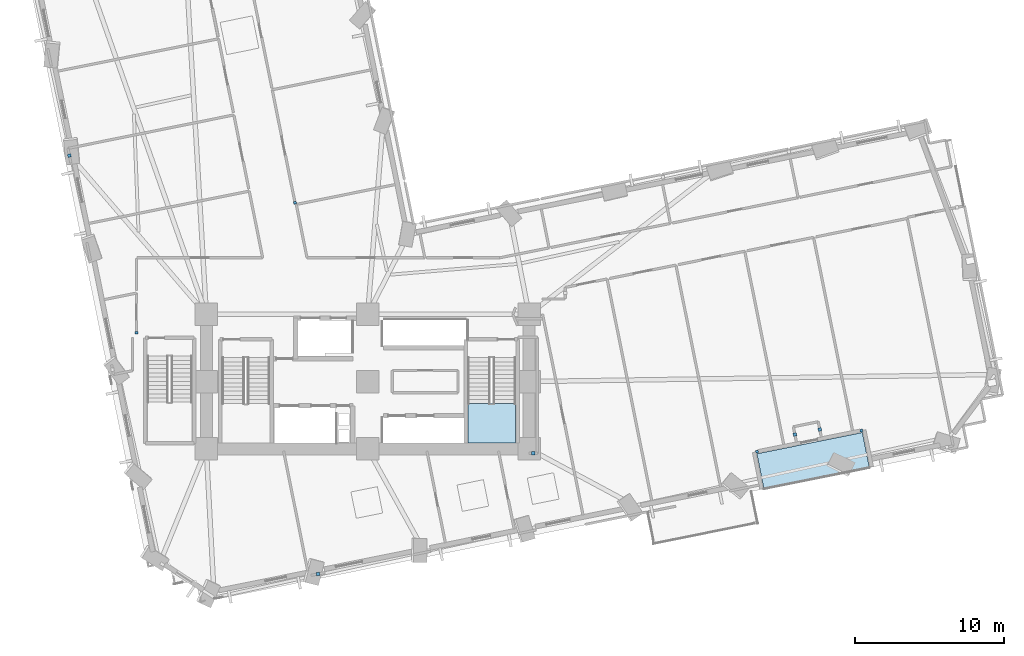
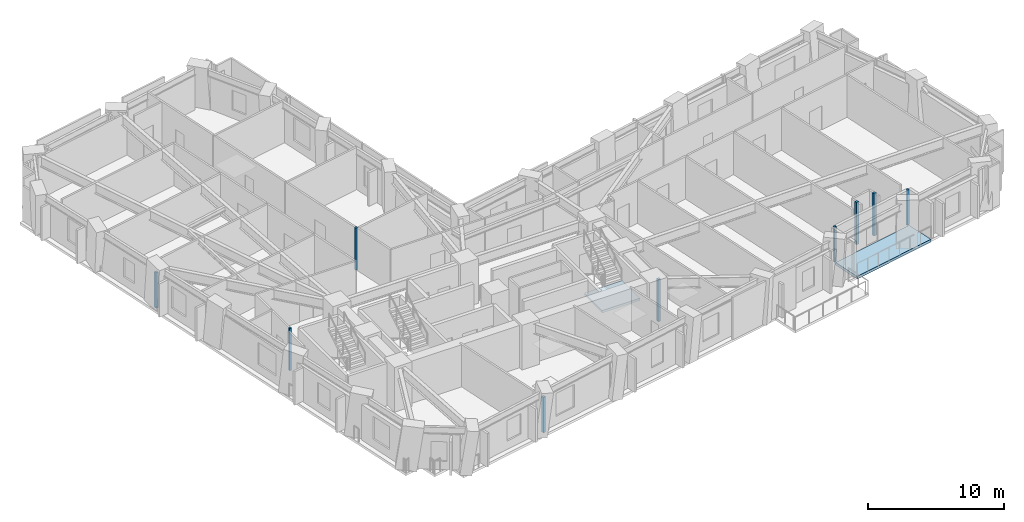
# One storey, part 3 of 16: 9 plates, 2 slabs, 1 element without a shape of its own.
"""IFC4 building model written with IfcOpenShell, lengths in metres."""

from ifc_helpers import new_model, si_unit, direction, frame, origin, origin_2d, place, context, subcontext, project, spatial, polyline, rectangle, outline, extrude, material, layer, layer_set, type_object, element, aggregate, save


model = new_model("IFC4")

# Units and contexts
model_context = context("Model", 3, precision=1e-05, world=origin(), true_north=direction((0.0, 1.0)))
body_context = subcontext(model_context, "Body", "Model", "MODEL_VIEW")
ifc_project = project(units=[si_unit("LENGTHUNIT", "METRE"), si_unit("AREAUNIT", "SQUARE_METRE"), si_unit("VOLUMEUNIT", "CUBIC_METRE"), si_unit("PLANEANGLEUNIT", "RADIAN"), si_unit("MASSUNIT", "GRAM", prefix="KILO")], contexts=[model_context])

# Site, building, storey
site_placement = place(None, origin())
site = spatial("IfcSite", under=ifc_project, at=site_placement, CompositionType="ELEMENT")
building_placement = place(site_placement, origin())
building = spatial("IfcBuilding", under=site, at=building_placement, Name="Gaonmaruhae Medical Tower", CompositionType="ELEMENT")
storey_placement = place(building_placement, frame((0.0, 0.0, 71.0)))
storey = spatial("IfcBuildingStorey", under=building, at=storey_placement, Name="L16", CompositionType="ELEMENT", Elevation=71.0)

# Plates
ifc_material_1 = material(Name="Anodised aluminium 6063-T6", Category="aluminium")
ifc_layer_1 = layer(ifc_material_1, 0.011962890625)
ifc_layer_set_1 = layer_set([ifc_layer_1], Name="Anodised aluminium 6063-T6")
plate_type = type_object("IfcPlateType", Name="PP-01 Interior Partition Corner Stiffener Plate", PredefinedType="SHEET", material=ifc_layer_set_1)
for number, where, z_axis, x_axis, name in (
    (1, (57.83837890625, 9.01953125, 0.0), (0.0, 0.0, 1.0), (-0.980271174622, -0.197657340379, 0.0), "L16 Partition End Jamb Post Plate PLT-L16-ENDP-TERB-0"),
    (2, (50.85888671875, 7.6123046875, 0.0), (0.0, 0.0, 1.0), (-0.980271174622, -0.197657340379, 0.0), "L16 Partition End Jamb Post Plate PLT-L16-ENDP-TERB-1"),
):
    element("IfcPlate", number, at=place(storey_placement, frame(where, z_axis=z_axis, x_axis=x_axis)), inside=storey, type_object=plate_type, Name=name, PredefinedType="SHEET", context=body_context, shape_type="SweptSolid", body=[
        extrude(rectangle(XDim=0.179931640625, YDim=0.179931640625, at=origin_2d()), origin(), (0.0, 0.0, 1.0), 3.1650390625),
    ])
for number, where, z_axis, x_axis, name in (
    (3, (9.320068359375, 15.570068359375, 0.0), (0.0, 0.0, 1.0), (0.0, -1.0, 0.0), "L16 Partition End Jamb Post Plate PLT-L16-ENDP-PW043-1"),
    (4, (19.935791015625, 24.2685546875, 0.0), (0.0, 0.0, 1.0), (-0.197657340379, 0.980271174622, 0.0), "L16 Partition End Jamb Post Plate PLT-L16-ENDP-PW086-0"),
):
    element("IfcPlate", number, at=place(storey_placement, frame(where, z_axis=z_axis, x_axis=x_axis)), inside=storey, type_object=plate_type, Name=name, PredefinedType="SHEET", context=body_context, shape_type="SweptSolid", body=[
        extrude(rectangle(XDim=0.179931640625, YDim=0.179931640625, at=origin_2d()), origin(), (0.0, 0.0, 1.0), 3.780029296875),
    ])
plate_1_placement = place(storey_placement, frame((21.4775390625, -0.576904296875, 0.0), z_axis=(0.0, 0.0, 1.0), x_axis=(-0.980295315705, -0.197537576187, 0.0)))
element("IfcPlate", 5, at=plate_1_placement, inside=storey, type_object=plate_type, Name="L16 Partition Corner Stiffener Plate PLT-L16-JGP-PW007", PredefinedType="SHEET", context=body_context, shape_type="SweptSolid", body=[
    extrude(rectangle(XDim=0.219970703125, YDim=0.219970703125, at=origin_2d()), origin(), (0.0, 0.0, 1.0), 3.1650390625),
])
for number, where, z_axis, x_axis, name in (
    (6, (35.875, 7.5, 0.0), (0.0, 0.0, 1.0), (1.0, 0.0, 0.0), "L16 Partition Corner Stiffener Plate PLT-L16-JGP-PW018"),
    (7, (55.05859375, 9.093994140625, 0.0), (0.0, 0.0, 1.0), (-0.198119260324, 0.980177921955, 0.0), "L16 Partition Corner Stiffener Plate PLT-L16-JGP-PW032"),
    (8, (53.392578125, 8.758056640625, 0.0), (0.0, 0.0, 1.0), (0.198119260324, -0.980177921955, 0.0), "L16 Partition Corner Stiffener Plate PLT-L16-JGP-PW034"),
):
    element("IfcPlate", number, at=place(storey_placement, frame(where, z_axis=z_axis, x_axis=x_axis)), inside=storey, type_object=plate_type, Name=name, PredefinedType="SHEET", context=body_context, shape_type="SweptSolid", body=[
        extrude(rectangle(XDim=0.219970703125, YDim=0.219970703125, at=origin_2d()), origin(), (0.0, 0.0, 1.0), 3.780029296875),
    ])
plate_2_placement = place(storey_placement, frame((4.833984375, 27.425048828125, 0.0), z_axis=(0.0, 0.0, 1.0), x_axis=(-0.197691558178, 0.980264274482, 0.0)))
element("IfcPlate", 9, at=plate_2_placement, inside=storey, type_object=plate_type, Name="L16 Partition Corner Stiffener Plate PLT-L16-JGP-PW051", PredefinedType="SHEET", context=body_context, shape_type="SweptSolid", body=[
    extrude(rectangle(XDim=0.219970703125, YDim=0.219970703125, at=origin_2d()), origin(), (0.0, 0.0, 1.0), 3.1650390625),
])

# Stair, slab
ifc_material_2 = material(Name="Concrete C40/50", Category="concrete")
stair_type = type_object("IfcStairType", Name="ST-T1 Primary Core Escape Dogleg Stair", PredefinedType="TWO_QUARTER_TURN_STAIR", material=ifc_material_2)
stair_placement = place(storey_placement, origin())
stair = element("IfcStair", 10, at=stair_placement, inside=storey, type_object=stair_type, Name="L16 Protected Escape Stair ST-02", PredefinedType="TWO_QUARTER_TURN_STAIR")
ifc_layer_2 = layer(ifc_material_2, 0.199951171875)
ifc_layer_set_2 = layer_set([ifc_layer_2], Name="Concrete C40/50")
slab_type_1 = type_object("IfcSlabType", Name="SL-200 Stair & Ramp Intermediate Concrete Landing", PredefinedType="LANDING", material=ifc_layer_set_2)
slab_1_placement = place(storey_placement, frame((0.0, 0.0, 1.800048828125)))
slab_1 = element("IfcSlab", 11, at=slab_1_placement, type_object=slab_type_1, Name="ST-02 landing 1", PredefinedType="LANDING", context=body_context, shape_type="SweptSolid", body=[
    extrude(outline(polyline([(31.5, 10.820068359375), (31.5, 8.2041015625), (34.699951171875, 8.2041015625), (34.699951171875, 10.820068359375), (31.5, 10.820068359375)])), origin(), (0.0, 0.0, 1.0), 0.199951171875),
])
aggregate(stair, [slab_1])

# Slab
ifc_layer_3 = layer(ifc_material_2, 0.239990234375)
ifc_layer_set_3 = layer_set([ifc_layer_3], Name="Concrete C40/50")
slab_type_2 = type_object("IfcSlabType", Name="TS-240 Sky Garden & Recovery Terrace Slab", PredefinedType="FLOOR", material=ifc_layer_set_3)
slab_2_placement = place(storey_placement, frame((0.0, 0.0, -0.239990234375)))
element("IfcSlab", 12, at=slab_2_placement, inside=storey, type_object=slab_type_2, Name="L16 Outdoor Recovery Terrace Slab", PredefinedType="FLOOR", context=body_context, shape_type="SweptSolid", body=[
    extrude(outline(polyline([(51.321533203125, 5.114501953125), (58.379638671875, 6.53759765625), (57.9052734375, 8.89013671875), (50.84716796875, 7.467041015625), (51.321533203125, 5.114501953125)])), origin(), (0.0, 0.0, 1.0), 0.239990234375),
])

save(model, "model.ifc")
